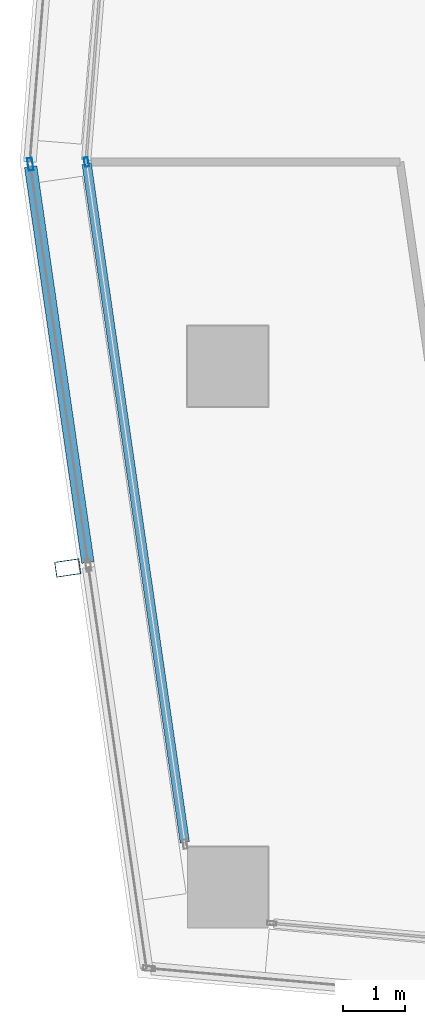
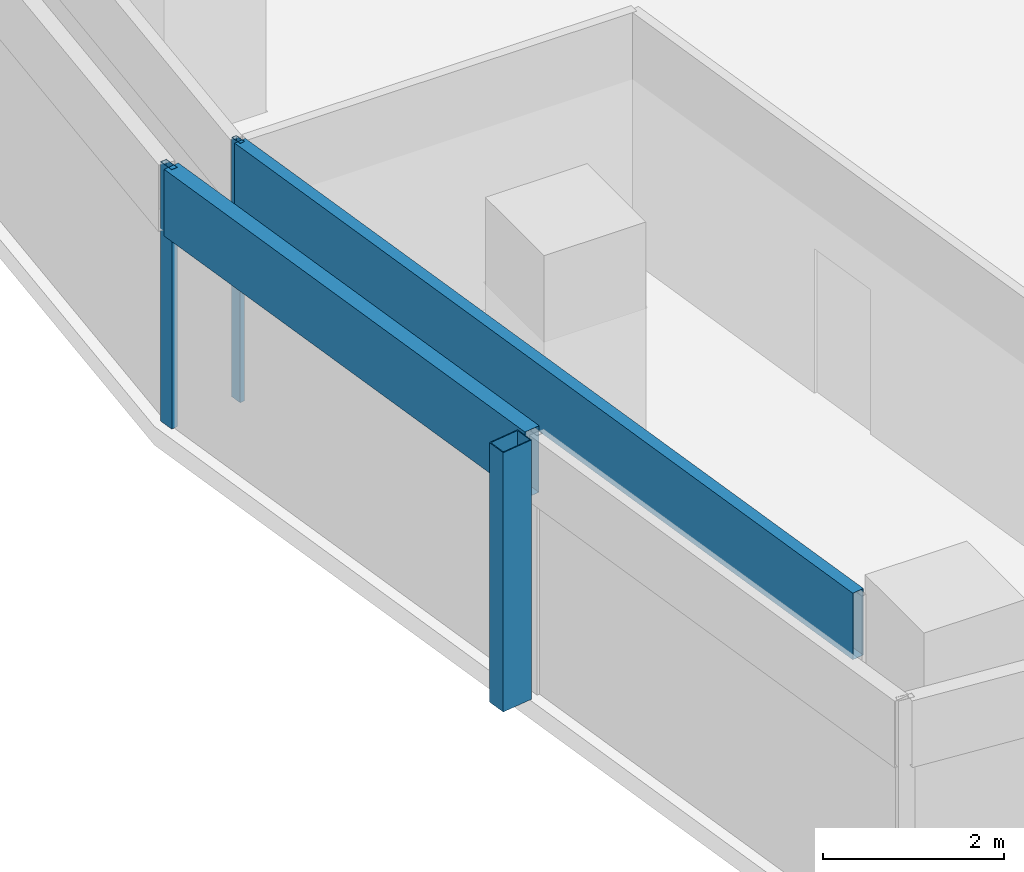
# One storey, part 4 of 28: 5 members, 2 elements without a shape of their own.
"""IFC4 building model written with IfcOpenShell, lengths in metres."""

from ifc_helpers import new_model, si_unit, direction, frame, origin, origin_2d, place, context, subcontext, project, spatial, hollow_rectangle, extrude, material, material_profile, profile_set, type_object, element, aggregate, save


model = new_model("IFC4")

# Units and contexts
model_context = context("Model", 3, precision=1e-05, world=origin(), true_north=direction((0.0, 1.0)))
body_context = subcontext(model_context, "Body", "Model", "MODEL_VIEW")
ifc_project = project(units=[si_unit("LENGTHUNIT", "METRE"), si_unit("AREAUNIT", "SQUARE_METRE"), si_unit("VOLUMEUNIT", "CUBIC_METRE"), si_unit("PLANEANGLEUNIT", "RADIAN"), si_unit("MASSUNIT", "GRAM", prefix="KILO")], contexts=[model_context])

# Site, building, storey
site_placement = place(None, origin())
site = spatial("IfcSite", under=ifc_project, at=site_placement, CompositionType="ELEMENT")
building_placement = place(site_placement, origin())
building = spatial("IfcBuilding", under=site, at=building_placement, Name="Rekha Terrace Tower", CompositionType="ELEMENT")
storey_placement = place(building_placement, frame((0.0, 0.0, 253.85009765625)))
storey = spatial("IfcBuildingStorey", under=building, at=storey_placement, Name="L64", CompositionType="ELEMENT", Elevation=253.85009765625)

# Curtain wall, member
ifc_material_1 = material(Name="Aluminium framing", Category="aluminium")
curtain_wall_type_1 = type_object("IfcCurtainWallType", Name="CW2 double skin outer glazing", PredefinedType="USERDEFINED", material=ifc_material_1)
curtain_wall_1_placement = place(storey_placement, origin())
curtain_wall_1 = element("IfcCurtainWall", 1, at=curtain_wall_1_placement, inside=storey, type_object=curtain_wall_type_1, Name="CW2 double skin outer glazing", ObjectType="DOUBLE SKIN OUTER GLAZING", PredefinedType="USERDEFINED")
ifc_material_2 = material(Name="Steel S355 with fluorocarbon finish", Category="steel")
ifc_material_profile_1 = material_profile(ifc_material_2, hollow_rectangle(XDim=0.25, YDim=0.39990234375, WallThickness=0.012451171875, at=origin_2d()), Name="RHS400x250x12.5")
ifc_profile_set_1 = profile_set([ifc_material_profile_1], Name="Steel S355 with fluorocarbon finish")
member_type_1 = type_object("IfcMemberType", Name="BL1 facade blade RHS 400 x 250", PredefinedType="USERDEFINED", material=ifc_profile_set_1)
member_1_placement = place(storey_placement, frame((5.819091796875, 21.94873046875, 0.0), z_axis=(0.0, 0.0, 1.0), x_axis=(0.143109157841, -0.989706910627, 0.0)))
member_1 = element("IfcMember", 2, at=member_1_placement, type_object=member_type_1, Name="Facade blade", ObjectType="FACADE BLADE", PredefinedType="USERDEFINED", context=body_context, shape_type="SweptSolid", body=[
    extrude(hollow_rectangle(XDim=0.25, YDim=0.39990234375, WallThickness=0.012451171875, at=origin_2d()), origin(), (0.0, 0.0, 1.0), 3.5),
])

# Curtain wall, members
curtain_wall_type_2 = type_object("IfcCurtainWallType", Name="CW1 double skin inner glazing", PredefinedType="USERDEFINED", material=ifc_material_1)
curtain_wall_2_placement = place(storey_placement, origin())
curtain_wall_2 = element("IfcCurtainWall", 3, at=curtain_wall_2_placement, inside=storey, type_object=curtain_wall_type_2, Name="CW1 double skin inner glazing", ObjectType="DOUBLE SKIN INNER GLAZING", PredefinedType="USERDEFINED")
ifc_material_3 = material(Name="Aluminium mullion section", Category="aluminium")
ifc_material_profile_2 = material_profile(ifc_material_3, hollow_rectangle(XDim=0.06494140625, YDim=0.14990234375, WallThickness=0.00390625, at=origin_2d()), Name="AL RHS 65x150")
ifc_profile_set_2 = profile_set([ifc_material_profile_2], Name="Aluminium mullion section")
member_type_2 = type_object("IfcMemberType", Name="CW1 mullion RHS 65 x 150", PredefinedType="MULLION", material=ifc_profile_set_2)
member_2_placement = place(storey_placement, frame((6.120849609375, 28.4912109375, 0.0), z_axis=(0.0, 0.0, 1.0), x_axis=(0.989707031394, 0.143108322643, 0.0)))
member_2 = element("IfcMember", 4, at=member_2_placement, type_object=member_type_2, Name="CW1 mullion 1", PredefinedType="MULLION", context=body_context, shape_type="SweptSolid", body=[
    extrude(hollow_rectangle(XDim=0.06494140625, YDim=0.14990234375, WallThickness=0.00390625, at=origin_2d()), origin(), (0.0, 0.0, 1.0), 3.5),
])
ifc_material_4 = material(Name="Insulated aluminium spandrel box", Category="aluminium")
ifc_material_profile_3 = material_profile(ifc_material_4, hollow_rectangle(XDim=0.14990234375, YDim=0.89990234375, WallThickness=0.0029296875, at=origin_2d()), Name="AL SPANDREL BOX 150x900")
ifc_profile_set_3 = profile_set([ifc_material_profile_3], Name="Insulated aluminium spandrel box")
member_type_3 = type_object("IfcMemberType", Name="CW1 spandrel transom 150 x 900", PredefinedType="USERDEFINED", material=ifc_profile_set_3)
member_3_placement = place(storey_placement, frame((6.12548828125, 28.458984375, 3.0498046875), z_axis=(0.143104894735, -0.989707527052, 0.0), x_axis=(0.989707527052, 0.143104894735, 0.0)))
member_3 = element("IfcMember", 5, at=member_3_placement, type_object=member_type_3, Name="CW1 spandrel transom 1", ObjectType="TRANSOM", PredefinedType="USERDEFINED", context=body_context, shape_type="SweptSolid", body=[
    extrude(hollow_rectangle(XDim=0.14990234375, YDim=0.89990234375, WallThickness=0.0029296875, at=origin_2d()), origin(), (0.0, 0.0, 1.0), 11.043212890625),
])
aggregate(curtain_wall_2, [member_2, member_3])

# Member
ifc_material_profile_4 = material_profile(ifc_material_3, hollow_rectangle(XDim=0.080078125, YDim=0.199951171875, WallThickness=0.00390625, at=origin_2d()), Name="AL RHS 80x200")
ifc_profile_set_4 = profile_set([ifc_material_profile_4], Name="Aluminium mullion section")
member_type_4 = type_object("IfcMemberType", Name="CW2 mullion RHS 80 x 200", PredefinedType="MULLION", material=ifc_profile_set_4)
member_4_placement = place(storey_placement, frame((5.216552734375, 28.455322265625, 0.0), z_axis=(0.0, 0.0, 1.0), x_axis=(0.989707031389, 0.143108322678, 0.0)))
member_4 = element("IfcMember", 6, at=member_4_placement, type_object=member_type_4, Name="CW2 mullion 1", PredefinedType="MULLION", context=body_context, shape_type="SweptSolid", body=[
    extrude(hollow_rectangle(XDim=0.080078125, YDim=0.199951171875, WallThickness=0.00390625, at=origin_2d()), origin(), (0.0, 0.0, 1.0), 3.5),
])

ifc_material_profile_5 = material_profile(ifc_material_4, hollow_rectangle(XDim=0.199951171875, YDim=0.89990234375, WallThickness=0.0029296875, at=origin_2d()), Name="AL SPANDREL BOX 200x900")
ifc_profile_set_5 = profile_set([ifc_material_profile_5], Name="Insulated aluminium spandrel box")
member_type_5 = type_object("IfcMemberType", Name="CW2 spandrel transom 200 x 900", PredefinedType="USERDEFINED", material=ifc_profile_set_5)
member_5_placement = place(storey_placement, frame((5.222412109375, 28.415771484375, 3.0498046875), z_axis=(0.143091438807, -0.989709472593, 0.0), x_axis=(0.989709472593, 0.143091438807, 0.0)))
member_5 = element("IfcMember", 7, at=member_5_placement, type_object=member_type_5, Name="CW2 spandrel transom 1", ObjectType="TRANSOM", PredefinedType="USERDEFINED", context=body_context, shape_type="SweptSolid", body=[
    extrude(hollow_rectangle(XDim=0.199951171875, YDim=0.89990234375, WallThickness=0.0029296875, at=origin_2d()), origin(), (0.0, 0.0, 1.0), 6.446044921875),
])

aggregate(curtain_wall_1, [member_4, member_5, member_1])

save(model, "model.ifc")
